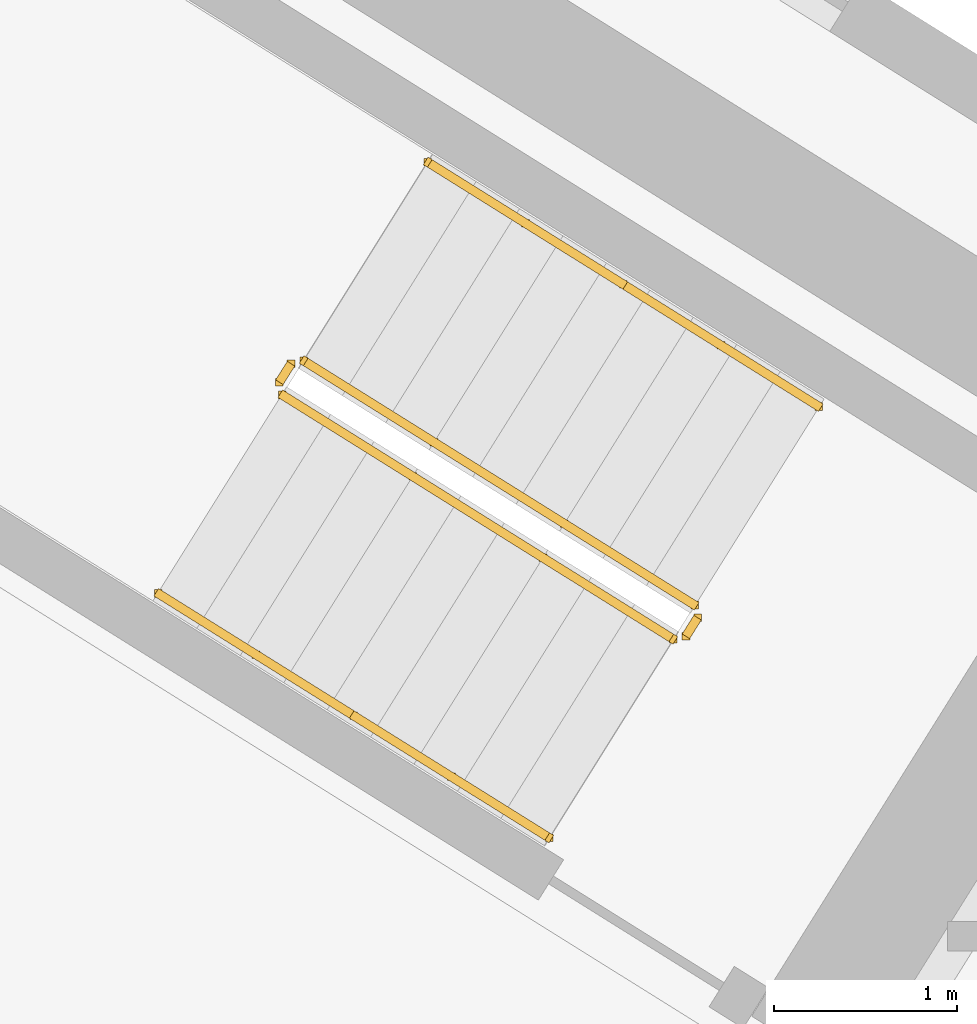
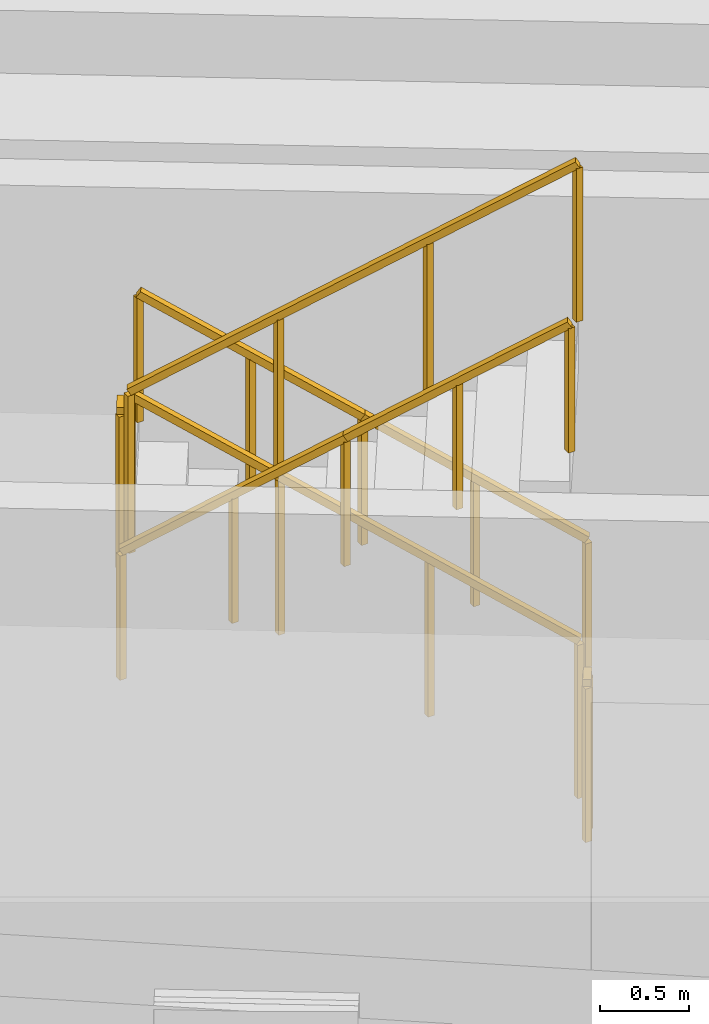
# One storey, part 25 of 28: 8 railings.
"""IFC4 building model written with IfcOpenShell, lengths in metres."""

from ifc_helpers import new_model, si_unit, direction, frame, origin, origin_2d, place, context, subcontext, project, spatial, rectangle, extrude, source, transform, mapped, material, type_object, element, save


model = new_model("IFC4")

# Units and contexts
model_context = context("Model", 3, precision=1e-05, world=origin(), true_north=direction((0.0, 1.0)))
body_context = subcontext(model_context, "Body", "Model", "MODEL_VIEW")
ifc_project = project(units=[si_unit("LENGTHUNIT", "METRE"), si_unit("AREAUNIT", "SQUARE_METRE"), si_unit("VOLUMEUNIT", "CUBIC_METRE"), si_unit("PLANEANGLEUNIT", "RADIAN"), si_unit("MASSUNIT", "GRAM", prefix="KILO")], contexts=[model_context])

# Site, building, storey
site_placement = place(None, origin())
site = spatial("IfcSite", under=ifc_project, at=site_placement, CompositionType="ELEMENT")
building_placement = place(site_placement, origin())
building = spatial("IfcBuilding", under=site, at=building_placement, Name="Tlacorven Tower", CompositionType="ELEMENT")
storey_placement = place(building_placement, frame((0.0, 0.0, 24.0)))
storey = spatial("IfcBuildingStorey", under=building, at=storey_placement, Name="L05", CompositionType="ELEMENT", Elevation=24.0)

# Railings
ifc_material = material(Name="Aluminium and painted steel balustrade", Category="steel")
railing_type_1 = type_object("IfcRailingType", Name="RL-GRD-1100", PredefinedType="GUARDRAIL", material=ifc_material)
shared_shape_1 = source(origin(), body_context, "Body", "SweptSolid", [
    extrude(rectangle(XDim=0.048095703125, YDim=0.048095703125, at=origin_2d()), frame((0.0, 0.0, 1.076171875), z_axis=(-0.713319727316, 0.445773895627, 0.540796265334), x_axis=(-0.529955395941, -0.84802551749, 0.0)), (0.0, 0.0, 1.0), 2.995849609375),
    extrude(rectangle(XDim=0.0419921875, YDim=0.0419921875, at=origin_2d()), origin(), (0.0, 0.0, 1.0), 1.052001953125),
    extrude(rectangle(XDim=0.0419921875, YDim=0.0419921875, at=origin_2d()), frame((-0.71240234375, 0.445068359375, 0.5400390625)), (0.0, 0.0, 1.0), 1.052001953125),
    extrude(rectangle(XDim=0.0419921875, YDim=0.0419921875, at=origin_2d()), frame((-1.424560546875, 0.890380859375, 1.080078125)), (0.0, 0.0, 1.0), 1.052001953125),
    extrude(rectangle(XDim=0.0419921875, YDim=0.0419921875, at=origin_2d()), frame((-2.136962890625, 1.33544921875, 1.6201171875)), (0.0, 0.0, 1.0), 1.052001953125),
])
railing_1_placement = place(storey_placement, frame((37.712158203125, 23.3095703125, 0.179931640625)))
element("IfcRailing", 1, at=railing_1_placement, inside=storey, type_object=railing_type_1, Name="L05 ST-W2 stair guard 1", PredefinedType="GUARDRAIL", context=body_context, shape_type="MappedRepresentation", body=[
    mapped(shared_shape_1, transform((0.0, 0.0, 0.0), scale=1.0)),
])
shared_shape_2 = source(origin(), body_context, "Body", "SweptSolid", [
    extrude(rectangle(XDim=0.048095703125, YDim=0.048095703125, at=origin_2d()), frame((0.0, 0.0, 1.076171875), z_axis=(-0.530546985787, -0.847655529016, 0.0), x_axis=(0.847655529016, -0.530546985787, 0.0)), (0.0, 0.0, 1.0), 0.1201171875),
    extrude(rectangle(XDim=0.0419921875, YDim=0.0419921875, at=origin_2d()), origin(), (0.0, 0.0, 1.0), 1.052001953125),
    extrude(rectangle(XDim=0.0419921875, YDim=0.0419921875, at=origin_2d()), frame((-0.063720703125, -0.101806640625, 0.0)), (0.0, 0.0, 1.0), 1.052001953125),
])
railing_2_placement = place(storey_placement, frame((37.728271484375, 23.24072265625, 0.0)))
element("IfcRailing", 2, at=railing_2_placement, inside=storey, type_object=railing_type_1, Name="L05 ST-W2 stair guard 4", PredefinedType="GUARDRAIL", context=body_context, shape_type="MappedRepresentation", body=[
    mapped(shared_shape_2, transform((0.0, 0.0, 0.0), scale=1.0)),
])
railing_type_2 = type_object("IfcRailingType", Name="RL-HND-0900", PredefinedType="HANDRAIL", material=ifc_material)
shared_shape_3 = source(origin(), body_context, "Body", "SweptSolid", [
    extrude(rectangle(XDim=0.048095703125, YDim=0.048095703125, at=origin_2d()), frame((0.0, 0.0, 0.8759765625), z_axis=(-0.713359751793, 0.4457479829, 0.540764828981), x_axis=(-0.529911857636, -0.848052724267, 0.0)), (0.0, 0.0, 1.0), 1.498046875),
    extrude(rectangle(XDim=0.0419921875, YDim=0.0419921875, at=origin_2d()), origin(), (0.0, 0.0, 1.0), 0.851806640625),
    extrude(rectangle(XDim=0.0419921875, YDim=0.0419921875, at=origin_2d()), frame((-0.5341796875, 0.333984375, 0.405029296875)), (0.0, 0.0, 1.0), 0.851806640625),
    extrude(rectangle(XDim=0.0419921875, YDim=0.0419921875, at=origin_2d()), frame((-1.068603515625, 0.667724609375, 0.81005859375)), (0.0, 0.0, 1.0), 0.851806640625),
])
for number, where, name in (
    (3, (38.390625, 24.39501953125, 0.179931640625), "L05 ST-W2 stair handrail 1"),
    (4, (37.322021484375, 25.062744140625, 0.989990234375), "L05 ST-W2 stair handrail 2"),
):
    element("IfcRailing", number, at=place(storey_placement, frame(where)), inside=storey, type_object=railing_type_2, Name=name, PredefinedType="HANDRAIL", context=body_context, shape_type="MappedRepresentation", body=[
        mapped(shared_shape_3, transform((0.0, 0.0, 0.0), scale=1.0)),
    ])
shared_shape_4 = source(origin(), body_context, "Body", "SweptSolid", [
    extrude(rectangle(XDim=0.048095703125, YDim=0.048095703125, at=origin_2d()), frame((0.0, 0.0, 0.8759765625), z_axis=(0.713359751793, -0.4457479829, 0.540764828981), x_axis=(0.529911857636, 0.848052724267, 0.0)), (0.0, 0.0, 1.0), 1.498046875),
    extrude(rectangle(XDim=0.0419921875, YDim=0.0419921875, at=origin_2d()), origin(), (0.0, 0.0, 1.0), 0.851806640625),
    extrude(rectangle(XDim=0.0419921875, YDim=0.0419921875, at=origin_2d()), frame((0.5341796875, -0.333984375, 0.405029296875)), (0.0, 0.0, 1.0), 0.851806640625),
    extrude(rectangle(XDim=0.0419921875, YDim=0.0419921875, at=origin_2d()), frame((1.068603515625, -0.667724609375, 0.81005859375)), (0.0, 0.0, 1.0), 0.851806640625),
])
for number, where, name in (
    (5, (34.7802734375, 23.372802734375, 1.97998046875), "L05 ST-W2 stair handrail 3"),
    (6, (35.848876953125, 22.705078125, 2.7900390625), "L05 ST-W2 stair handrail 4"),
):
    element("IfcRailing", number, at=place(storey_placement, frame(where)), inside=storey, type_object=railing_type_2, Name=name, PredefinedType="HANDRAIL", context=body_context, shape_type="MappedRepresentation", body=[
        mapped(shared_shape_4, transform((0.0, 0.0, 0.0), scale=1.0)),
    ])
shared_shape_5 = source(origin(), body_context, "Body", "SweptSolid", [
    extrude(rectangle(XDim=0.048095703125, YDim=0.048095703125, at=origin_2d()), frame((0.0, 0.0, 1.076171875), z_axis=(-0.531462422766, -0.847081869236, 0.0), x_axis=(0.847081869236, -0.531462422766, 0.0)), (0.0, 0.0, 1.0), 0.119873046875),
    extrude(rectangle(XDim=0.0419921875, YDim=0.0419921875, at=origin_2d()), origin(), (0.0, 0.0, 1.0), 1.052001953125),
    extrude(rectangle(XDim=0.0419921875, YDim=0.0419921875, at=origin_2d()), frame((-0.063720703125, -0.1015625, 0.0)), (0.0, 0.0, 1.0), 1.052001953125),
])
railing_3_placement = place(storey_placement, frame((35.50634765625, 24.62890625, 1.800048828125)))
element("IfcRailing", 7, at=railing_3_placement, inside=storey, type_object=railing_type_1, Name="L05 ST-W2 stair guard 2", PredefinedType="GUARDRAIL", context=body_context, shape_type="MappedRepresentation", body=[
    mapped(shared_shape_5, transform((0.0, 0.0, 0.0), scale=1.0)),
])
shared_shape_6 = source(origin(), body_context, "Body", "SweptSolid", [
    extrude(rectangle(XDim=0.048095703125, YDim=0.048095703125, at=origin_2d()), frame((0.0, 0.0, 1.076171875), z_axis=(0.713385662783, -0.445682681033, 0.540784470897), x_axis=(0.52984217967, 0.848096259066, 0.0)), (0.0, 0.0, 1.0), 2.995849609375),
    extrude(rectangle(XDim=0.0419921875, YDim=0.0419921875, at=origin_2d()), origin(), (0.0, 0.0, 1.0), 1.052001953125),
    extrude(rectangle(XDim=0.0419921875, YDim=0.0419921875, at=origin_2d()), frame((0.71240234375, -0.445068359375, 0.5400390625)), (0.0, 0.0, 1.0), 1.052001953125),
    extrude(rectangle(XDim=0.0419921875, YDim=0.0419921875, at=origin_2d()), frame((1.4248046875, -0.89013671875, 1.080078125)), (0.0, 0.0, 1.0), 1.052001953125),
    extrude(rectangle(XDim=0.0419921875, YDim=0.0419921875, at=origin_2d()), frame((2.13720703125, -1.335205078125, 1.6201171875)), (0.0, 0.0, 1.0), 1.052001953125),
])
railing_4_placement = place(storey_placement, frame((35.45849609375, 24.458251953125, 1.97998046875)))
element("IfcRailing", 8, at=railing_4_placement, inside=storey, type_object=railing_type_1, Name="L05 ST-W2 stair guard 3", PredefinedType="GUARDRAIL", context=body_context, shape_type="MappedRepresentation", body=[
    mapped(shared_shape_6, transform((0.0, 0.0, 0.0), scale=1.0)),
])

save(model, "model.ifc")
